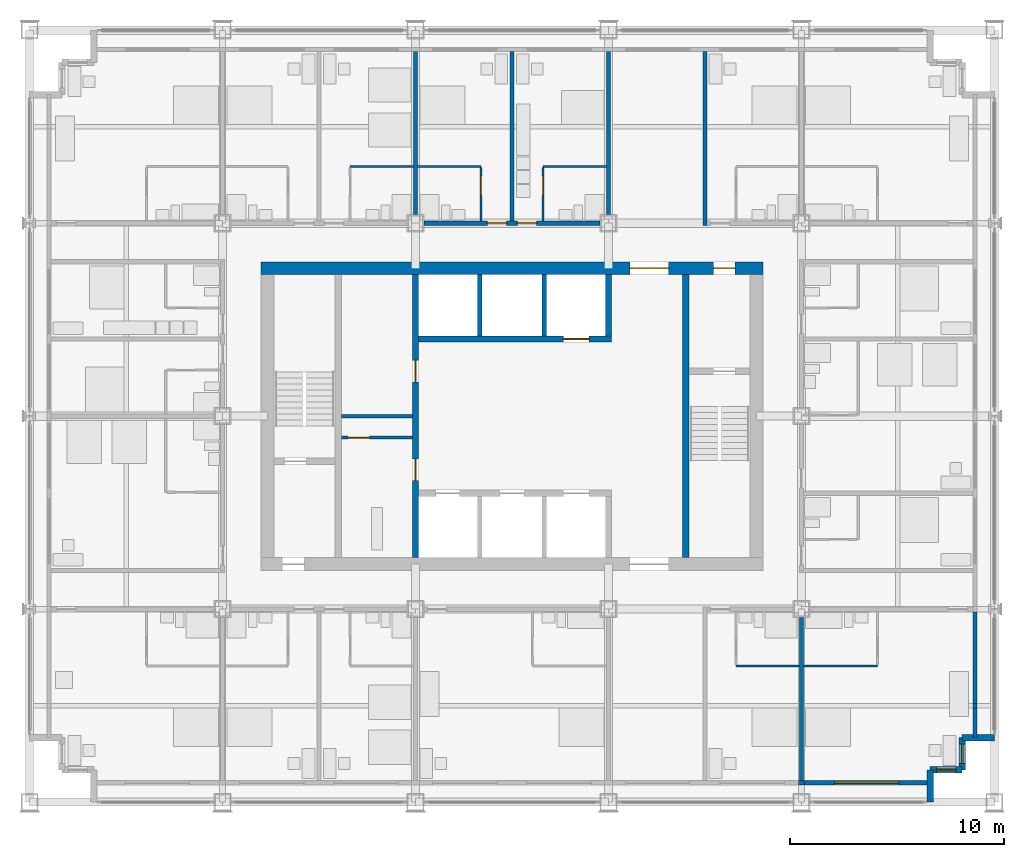
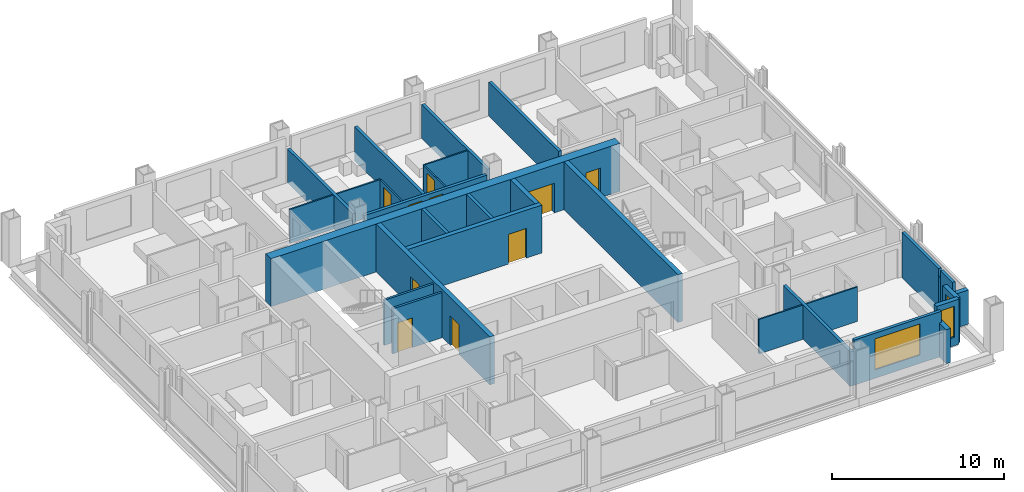
# One storey, part 11 of 17: 31 walls, 10 doors, 3 windows, 13 openings.
"""IFC4 building model written with IfcOpenShell, lengths in metres."""

import ifcopenshell
import ifcopenshell.guid

model = None  # the IFC model being written
_history = None  # IfcOwnerHistory: only IFC2X3 demands one
_inside = {}  # id of a spatial element -> (the spatial element, [elements in it])
_under = {}  # id of a project, library or spatial element -> (it, [spatial elements below it])
_declared = {}  # id of a project -> (the project, [libraries it declares])
_typed = {}  # id of a type object -> (the type object, [elements of that type])
_made_of = {}  # id of a material, layer set ... -> (it, [elements and type objects made of it])


def new_model(schema):
    """Start an empty IFC model of exactly this schema.

    Asked for "IFC4X3", IfcOpenShell would pick the latest addendum, in which some entities
    have other attributes; the version numbers below select the first issue.
    IFC2X3 requires an IfcOwnerHistory on every rooted entity: one is made here for all.
    """
    global model, _history
    if schema == "IFC4X3":
        model = ifcopenshell.file(schema_version=(4, 3, 0, 0))
    else:
        model = ifcopenshell.file(schema=schema)
    _inside.clear()
    _under.clear()
    _declared.clear()
    _typed.clear()
    _made_of.clear()
    _history = None
    if model.schema == "IFC2X3":
        org = make("IfcOrganization", Name="unknown")
        user = make(
            "IfcPersonAndOrganization",
            ThePerson=make("IfcPerson", FamilyName="unknown"),
            TheOrganization=org,
        )
        app = make(
            "IfcApplication",
            ApplicationDeveloper=org,
            Version="unknown",
            ApplicationFullName="unknown",
            ApplicationIdentifier="unknown",
        )
        _history = make(
            "IfcOwnerHistory",
            OwningUser=user,
            OwningApplication=app,
            ChangeAction="ADDED",
            CreationDate=0,
        )
    return model


def make(cls, **values):
    """One entity of the class cls with the attributes given. An attribute that is None is left unset."""
    return model.create_entity(
        cls, **{name: value for name, value in values.items() if value is not None}
    )


def rooted(cls, **values):
    """An entity with a GlobalId (a new one), such as an element, a storey or a relation."""
    return make(cls, GlobalId=ifcopenshell.guid.new(), OwnerHistory=_history, **values)


def si_unit(unit_type, name, prefix=None):
    """IfcSIUnit, for example si_unit("LENGTHUNIT", "METRE", prefix="MILLI")."""
    return make("IfcSIUnit", UnitType=unit_type, Prefix=prefix, Name=name)


def assignment(units):
    """IfcUnitAssignment: the units of a project."""
    return None if units is None else make("IfcUnitAssignment", Units=units)


def point(xyz):
    """IfcCartesianPoint."""
    return None if xyz is None else make("IfcCartesianPoint", Coordinates=xyz)


def direction(xyz):
    """IfcDirection."""
    return None if xyz is None else make("IfcDirection", DirectionRatios=xyz)


def frame(location, z_axis=None, x_axis=None):
    """IfcAxis2Placement3D, a coordinate frame: its origin and axes. An axis left out is left unset."""
    return make(
        "IfcAxis2Placement3D",
        Location=point(location),
        Axis=direction(z_axis),
        RefDirection=direction(x_axis),
    )


def frame_2d(location, x_axis=None):
    """IfcAxis2Placement2D, a coordinate frame in the plane: its origin and x axis."""
    return make(
        "IfcAxis2Placement2D", Location=point(location), RefDirection=direction(x_axis)
    )


def origin():
    """The frame at (0, 0, 0) with its axes left unset."""
    return frame((0.0, 0.0, 0.0))


def place(relative_to, where):
    """IfcLocalPlacement: puts the frame where relative to a parent placement (None: the world)."""
    return make(
        "IfcLocalPlacement", PlacementRelTo=relative_to, RelativePlacement=where
    )


def context(
    kind, dimensions, precision=None, world=None, true_north=None, identifier=None
):
    """IfcGeometricRepresentationContext, for example the 3D "Model" context."""
    return make(
        "IfcGeometricRepresentationContext",
        ContextIdentifier=identifier,
        ContextType=kind,
        CoordinateSpaceDimension=dimensions,
        Precision=precision,
        WorldCoordinateSystem=world,
        TrueNorth=true_north,
    )


def subcontext(parent, identifier, kind, view, scale=None):
    """IfcGeometricRepresentationSubContext, for example "Body" below "Model"."""
    return make(
        "IfcGeometricRepresentationSubContext",
        ContextIdentifier=identifier,
        ContextType=kind,
        ParentContext=parent,
        TargetScale=scale,
        TargetView=view,
    )


def project(units=None, contexts=None):
    """IfcProject with its units and contexts."""
    return rooted(
        "IfcProject",
        Name="project",
        RepresentationContexts=contexts,
        UnitsInContext=assignment(units),
    )


def spatial(cls, under=None, at=None, **own):
    """A site, building, storey or space (cls), placed at a placement, below another one or the project."""
    s = rooted(cls, ObjectPlacement=at, **own)
    if under is not None:
        _under.setdefault(under.id(), (under, []))[1].append(s)
    return s


def profile(cls, at=None, kind="AREA", **sizes):
    """A parametric profile (cls). Its sizes go by their IFC names, for example OverallWidth=200.0."""
    return make(cls, ProfileType=kind, Position=at, **sizes)


def rectangle(**sizes):
    """IfcRectangleProfileDef."""
    return profile("IfcRectangleProfileDef", **sizes)


def extrude(swept, where, along, depth):
    """IfcExtrudedAreaSolid: the profile swept, set in the frame where, extruded along a direction by depth."""
    return make(
        "IfcExtrudedAreaSolid",
        SweptArea=swept,
        Position=where,
        ExtrudedDirection=direction(along),
        Depth=depth,
    )


def shape(context_of_items, identifier, shape_type, items):
    """IfcShapeRepresentation: the items that make up one representation, for example the "Body"."""
    return make(
        "IfcShapeRepresentation",
        ContextOfItems=context_of_items,
        RepresentationIdentifier=identifier,
        RepresentationType=shape_type,
        Items=items,
    )


def material(Name=None, Category=None):
    """IfcMaterial."""
    return make("IfcMaterial", Name=Name, Category=Category)


def layer(
    of_material, thickness, ventilated=None, Name=None, Category=None, Priority=None
):
    """IfcMaterialLayer: one layer of a wall or slab, of a material (None: an air gap)."""
    return make(
        "IfcMaterialLayer",
        Material=of_material,
        LayerThickness=thickness,
        IsVentilated=ventilated,
        Name=Name,
        Category=Category,
        Priority=Priority,
    )


def layer_set(layers, Name=None):
    """IfcMaterialLayerSet."""
    return make("IfcMaterialLayerSet", MaterialLayers=layers, LayerSetName=Name)


def made_of(thing, what):
    """Note that an element or type object is made of a material, layer set ...; save() writes the relation."""
    if what is not None:
        _made_of.setdefault(what.id(), (what, []))[1].append(thing)
    return thing


def type_object(cls, material=None, **own):
    """A type object (cls), such as IfcWallType, which elements share."""
    return made_of(rooted(cls, **own), material)


def element(
    cls,
    number,
    at=None,
    inside=None,
    cuts=None,
    type_object=None,
    material=None,
    context=None,
    identifier="Body",
    shape_type=None,
    held_by="IfcProductDefinitionShape",
    body=None,
    shapes=None,
    **own,
):
    """One element of the class cls, such as IfcWall. Its Tag is "e" and its number.

    at: its placement. inside: the storey or other place that contains it. cuts: it is an
    opening in that element (IfcRelVoidsElement). A single representation is given by context,
    identifier, shape_type and body (its items); several are given by shapes. held_by: the class
    of the entity that holds the representations. save() writes the other relations.
    """
    e = rooted(cls, Tag="e%d" % number, ObjectPlacement=at, **own)
    if body is not None:
        shapes = [shape(context, identifier, shape_type, body)]
    if shapes is not None:
        e.Representation = make(held_by, Representations=shapes)
    if inside is not None:
        _inside.setdefault(inside.id(), (inside, []))[1].append(e)
    if cuts is not None:
        rooted(
            "IfcRelVoidsElement", RelatingBuildingElement=cuts, RelatedOpeningElement=e
        )
    if type_object is not None:
        _typed.setdefault(type_object.id(), (type_object, []))[1].append(e)
    return made_of(e, material)


def fill(opening, filler):
    """IfcRelFillsElement: the door or window that sits in an opening."""
    return rooted(
        "IfcRelFillsElement",
        RelatingOpeningElement=opening,
        RelatedBuildingElement=filler,
    )


def aggregate(whole, parts):
    """IfcRelAggregates: a whole, such as a stair, and the parts it consists of."""
    return rooted("IfcRelAggregates", RelatingObject=whole, RelatedObjects=parts)


def save(model, path):
    """Write the relations noted so far, then the file.

    IfcRelAggregates (storeys below a building ...), IfcRelContainedInSpatialStructure (elements
    in a storey), IfcRelDefinesByType, IfcRelAssociatesMaterial and IfcRelDeclares: one each for
    every whole, place, type object, material and project.
    """
    for whole, parts in _under.values():
        aggregate(whole, parts)
    for where, things in _inside.values():
        rooted(
            "IfcRelContainedInSpatialStructure",
            RelatedElements=things,
            RelatingStructure=where,
        )
    for kind, things in _typed.values():
        rooted("IfcRelDefinesByType", RelatedObjects=things, RelatingType=kind)
    for what, things in _made_of.values():
        rooted("IfcRelAssociatesMaterial", RelatedObjects=things, RelatingMaterial=what)
    for by, libraries in _declared.values():
        rooted("IfcRelDeclares", RelatingContext=by, RelatedDefinitions=libraries)
    model.write(path)


model = new_model("IFC4")

# Units and contexts
model_context = context("Model", 3, precision=1e-05, world=origin(), true_north=direction((0.0, 1.0)))
body_context = subcontext(model_context, "Body", "Model", "MODEL_VIEW")
ifc_project = project(units=[si_unit("LENGTHUNIT", "METRE"), si_unit("AREAUNIT", "SQUARE_METRE"), si_unit("VOLUMEUNIT", "CUBIC_METRE"), si_unit("PLANEANGLEUNIT", "RADIAN"), si_unit("MASSUNIT", "GRAM", prefix="KILO")], contexts=[model_context])

# Site, building, storey
site_placement = place(None, origin())
site = spatial("IfcSite", under=ifc_project, at=site_placement, CompositionType="ELEMENT")
building_placement = place(site_placement, origin())
building = spatial("IfcBuilding", under=site, at=building_placement, Name="Loomwork Tower", CompositionType="ELEMENT")
storey_placement = place(building_placement, frame((0.0, 0.0, 145.199951171875)))
storey = spatial("IfcBuildingStorey", under=building, at=storey_placement, Name="L39", CompositionType="ELEMENT", Elevation=145.199951171875)

# Wall, openings, doors
ifc_material_1 = material(Name="Concrete 14000 psi (97 MPa)", Category="concrete")
ifc_layer_1 = layer(ifc_material_1, 0.300048828125)
ifc_layer_set_1 = layer_set([ifc_layer_1], Name="Core shear wall 300")
wall_type_1 = type_object("IfcWallType", Name="Core shear wall 300", PredefinedType="SHEAR", material=ifc_layer_set_1)
wall_1_placement = place(storey_placement, frame((18.0, 11.39990234375, 0.0), z_axis=(0.0, 0.0, 1.0), x_axis=(0.0, 1.0, 0.0)))
wall_1 = element("IfcWall", 1, at=wall_1_placement, inside=storey, type_object=wall_type_1, Name="Lobby west wall L39", PredefinedType="SHEAR", context=body_context, shape_type="SweptSolid", body=[
    extrude(rectangle(XDim=13.2001953125, YDim=0.300048828125, at=frame_2d((6.60009765625, 0.0))), origin(), (0.0, 0.0, 1.0), 3.400146484375),
])
opening_1_placement = place(wall_1_placement, frame((3.60009765625, 0.0, 0.0)))
opening_1 = element("IfcOpeningElement", 2, at=opening_1_placement, cuts=wall_1, Name="Opening D5", PredefinedType="OPENING", context=body_context, shape_type="SweptSolid", body=[
    extrude(rectangle(XDim=1.0, YDim=2.10009765625, at=frame_2d((0.5, 1.050048828125))), frame((0.0, 0.159912109375, 0.0), z_axis=(0.0, -1.0, 0.0), x_axis=(1.0, 0.0, 0.0)), (0.0, 0.0, 1.0), 0.320068359375),
])
opening_2_placement = place(wall_1_placement, frame((8.199951171875, 0.0, 0.0)))
opening_2 = element("IfcOpeningElement", 3, at=opening_2_placement, cuts=wall_1, Name="Opening D5", PredefinedType="OPENING", context=body_context, shape_type="SweptSolid", body=[
    extrude(rectangle(XDim=1.0, YDim=2.10009765625, at=frame_2d((0.5, 1.050048828125))), frame((0.0, 0.159912109375, 0.0), z_axis=(0.0, -1.0, 0.0), x_axis=(1.0, 0.0, 0.0)), (0.0, 0.0, 1.0), 0.320068359375),
])
ifc_material_2 = material(Name="Hollow metal door and frame")
door_type_1 = type_object("IfcDoorType", Name="Service door 1000", OperationType="SINGLE_SWING_LEFT", PredefinedType="DOOR", material=ifc_material_2)
door_1_placement = place(opening_1_placement, origin())
door_1 = element("IfcDoor", 4, at=door_1_placement, inside=storey, type_object=door_type_1, Name="Back-of-house door south", OperationType="SINGLE_SWING_LEFT", OverallHeight=2.10009765625, OverallWidth=1.0, PredefinedType="DOOR", context=body_context, shape_type="SweptSolid", body=[
    extrude(rectangle(XDim=1.0, YDim=2.10009765625, at=frame_2d((0.5, 1.050048828125))), frame((0.0, 0.02490234375, 0.0), z_axis=(0.0, -1.0, 0.0), x_axis=(1.0, 0.0, 0.0)), (0.0, 0.0, 1.0), 0.050048828125),
])
fill(opening_1, door_1)
door_2_placement = place(opening_2_placement, origin())
door_2 = element("IfcDoor", 5, at=door_2_placement, inside=storey, type_object=door_type_1, Name="Back-of-house door north", OperationType="SINGLE_SWING_RIGHT", OverallHeight=2.10009765625, OverallWidth=1.0, PredefinedType="DOOR", context=body_context, shape_type="SweptSolid", body=[
    extrude(rectangle(XDim=1.0, YDim=2.10009765625, at=frame_2d((0.5, 1.050048828125))), frame((0.0, 0.02490234375, 0.0), z_axis=(0.0, -1.0, 0.0), x_axis=(1.0, 0.0, 0.0)), (0.0, 0.0, 1.0), 0.050048828125),
])
fill(opening_2, door_2)

# Wall, opening, door
wall_2_placement = place(storey_placement, frame((18.14990234375, 21.60009765625, 0.0), z_axis=(0.0, 0.0, 1.0), x_axis=(1.0, 0.0, 0.0)))
wall_2 = element("IfcWall", 6, at=wall_2_placement, inside=storey, type_object=wall_type_1, Name="Lift front wall north L39", PredefinedType="SHEAR", context=body_context, shape_type="SweptSolid", body=[
    extrude(rectangle(XDim=9.0, YDim=0.300048828125, at=frame_2d((4.5, 0.0))), origin(), (0.0, 0.0, 1.0), 3.400146484375),
])
opening_3_placement = place(wall_2_placement, frame((6.75, 0.0, 0.0)))
opening_3 = element("IfcOpeningElement", 7, at=opening_3_placement, cuts=wall_2, Name="Opening LD2", PredefinedType="OPENING", context=body_context, shape_type="SweptSolid", body=[
    extrude(rectangle(XDim=1.199951171875, YDim=2.10009765625, at=frame_2d((0.60009765625, 1.050048828125))), frame((0.0, 0.159912109375, 0.0), z_axis=(0.0, -1.0, 0.0), x_axis=(1.0, 0.0, 0.0)), (0.0, 0.0, 1.0), 0.320068359375),
])
ifc_material_3 = material(Name="Hollow metal door and frame")
door_type_2 = type_object("IfcDoorType", Name="Lift landing door 1200", OperationType="SLIDING_TO_LEFT", PredefinedType="DOOR", material=ifc_material_3)
door_3_placement = place(opening_3_placement, origin())
door_3 = element("IfcDoor", 8, at=door_3_placement, inside=storey, type_object=door_type_2, Name="Lift landing door LF2", OperationType="SLIDING_TO_LEFT", OverallHeight=2.10009765625, OverallWidth=1.199951171875, PredefinedType="DOOR", context=body_context, shape_type="SweptSolid", body=[
    extrude(rectangle(XDim=1.199951171875, YDim=2.10009765625, at=frame_2d((0.60009765625, 1.050048828125))), frame((0.0, 0.02490234375, 0.0), z_axis=(0.0, -1.0, 0.0), x_axis=(1.0, 0.0, 0.0)), (0.0, 0.0, 1.0), 0.050048828125),
])
fill(opening_3, door_3)

# Walls
wall_3_placement = place(storey_placement, frame((27.0, 21.75, 0.0), z_axis=(0.0, 0.0, 1.0), x_axis=(0.0, 1.0, 0.0)))
element("IfcWall", 9, at=wall_3_placement, inside=storey, type_object=wall_type_1, Name="Lift shaft end wall north L39", PredefinedType="SHEAR", context=body_context, shape_type="SweptSolid", body=[
    extrude(rectangle(XDim=2.85009765625, YDim=0.300048828125, at=frame_2d((1.425048828125, 0.0))), origin(), (0.0, 0.0, 1.0), 3.400146484375),
])
wall_4_placement = place(storey_placement, frame((30.60009765625, 11.39990234375, 0.0), z_axis=(0.0, 0.0, 1.0), x_axis=(0.0, 1.0, 0.0)))
element("IfcWall", 10, at=wall_4_placement, inside=storey, type_object=wall_type_1, Name="Stair B west wall L39", PredefinedType="SHEAR", context=body_context, shape_type="SweptSolid", body=[
    extrude(rectangle(XDim=13.2001953125, YDim=0.300048828125, at=frame_2d((6.60009765625, 0.0))), origin(), (0.0, 0.0, 1.0), 3.400146484375),
])

# Wall, openings, doors
ifc_material_4 = material(Name="Concrete 14000 psi (97 MPa)", Category="concrete")
ifc_layer_2 = layer(ifc_material_4, 0.60009765625)
ifc_layer_set_2 = layer_set([ifc_layer_2], Name="Core shear wall 600")
wall_type_2 = type_object("IfcWallType", Name="Core shear wall 600", PredefinedType="SHEAR", material=ifc_layer_set_2)
wall_5_placement = place(storey_placement, frame((10.800048828125, 24.89990234375, 0.0), z_axis=(0.0, 0.0, 1.0), x_axis=(1.0, 0.0, 0.0)))
wall_5 = element("IfcWall", 11, at=wall_5_placement, inside=storey, type_object=wall_type_2, Name="Core wall north L39", PredefinedType="SHEAR", context=body_context, shape_type="SweptSolid", body=[
    extrude(rectangle(XDim=23.39990234375, YDim=0.60009765625, at=frame_2d((11.699951171875, 0.0))), origin(), (0.0, 0.0, 1.0), 3.400146484375),
])
opening_4_placement = place(wall_5_placement, frame((17.199951171875, 0.0, 0.0)))
opening_4 = element("IfcOpeningElement", 12, at=opening_4_placement, cuts=wall_5, Name="Opening D6", PredefinedType="OPENING", context=body_context, shape_type="SweptSolid", body=[
    extrude(rectangle(XDim=1.800048828125, YDim=2.10009765625, at=frame_2d((0.89990234375, 1.050048828125))), frame((0.0, 0.31005859375, 0.0), z_axis=(0.0, -1.0, 0.0), x_axis=(1.0, 0.0, 0.0)), (0.0, 0.0, 1.0), 0.6201171875),
])
opening_5_placement = place(wall_5_placement, frame((21.10009765625, 0.0, 0.0)))
opening_5 = element("IfcOpeningElement", 13, at=opening_5_placement, cuts=wall_5, Name="Opening D4", PredefinedType="OPENING", context=body_context, shape_type="SweptSolid", body=[
    extrude(rectangle(XDim=1.0, YDim=2.10009765625, at=frame_2d((0.5, 1.050048828125))), frame((0.0, 0.31005859375, 0.0), z_axis=(0.0, -1.0, 0.0), x_axis=(1.0, 0.0, 0.0)), (0.0, 0.0, 1.0), 0.6201171875),
])
ifc_material_5 = material(Name="Hollow metal door and frame")
door_type_3 = type_object("IfcDoorType", Name="Lobby passage double door 1800", OperationType="DOUBLE_DOOR_SINGLE_SWING", PredefinedType="DOOR", material=ifc_material_5)
door_4_placement = place(opening_4_placement, frame((1.800048828125, 0.0, 0.0), z_axis=(0.0, 0.0, 1.0), x_axis=(-1.0, 0.0, 0.0)))
door_4 = element("IfcDoor", 14, at=door_4_placement, inside=storey, type_object=door_type_3, Name="Lobby passage door north", OperationType="DOUBLE_DOOR_SINGLE_SWING", OverallHeight=2.10009765625, OverallWidth=1.800048828125, PredefinedType="DOOR", context=body_context, shape_type="SweptSolid", body=[
    extrude(rectangle(XDim=1.800048828125, YDim=2.10009765625, at=frame_2d((0.89990234375, 1.050048828125))), frame((0.0, 0.02490234375, 0.0), z_axis=(0.0, -1.0, 0.0), x_axis=(1.0, 0.0, 0.0)), (0.0, 0.0, 1.0), 0.050048828125),
])
fill(opening_4, door_4)
ifc_material_6 = material(Name="Hollow metal door and frame")
door_type_4 = type_object("IfcDoorType", Name="Stair door 1000", OperationType="SINGLE_SWING_RIGHT", PredefinedType="DOOR", material=ifc_material_6)
door_5_placement = place(opening_5_placement, frame((1.0, 0.0, 0.0), z_axis=(0.0, 0.0, 1.0), x_axis=(-1.0, 0.0, 0.0)))
door_5 = element("IfcDoor", 15, at=door_5_placement, inside=storey, type_object=door_type_4, Name="Stair B vestibule door", OperationType="SINGLE_SWING_LEFT", OverallHeight=2.10009765625, OverallWidth=1.0, PredefinedType="DOOR", context=body_context, shape_type="SweptSolid", body=[
    extrude(rectangle(XDim=1.0, YDim=2.10009765625, at=frame_2d((0.5, 1.050048828125))), frame((0.0, 0.02490234375, 0.0), z_axis=(0.0, -1.0, 0.0), x_axis=(1.0, 0.0, 0.0)), (0.0, 0.0, 1.0), 0.050048828125),
])
fill(opening_5, door_5)

ifc_material_7 = material(Name="Gypsum board on steel studs, one-hour", Category="steel")
ifc_layer_3 = layer(ifc_material_7, 0.199951171875)
ifc_layer_set_3 = layer_set([ifc_layer_3], Name="Corridor wall 200")
wall_type_3 = type_object("IfcWallType", Name="Corridor wall 200", PredefinedType="PARTITIONING", material=ifc_layer_set_3)
wall_6_placement = place(storey_placement, frame((18.39990234375, 27.0, 0.0), z_axis=(0.0, 0.0, 1.0), x_axis=(1.0, 0.0, 0.0)))
wall_6 = element("IfcWall", 16, at=wall_6_placement, inside=storey, type_object=wall_type_3, Name="North corridor wall 3", PredefinedType="PARTITIONING", context=body_context, shape_type="SweptSolid", body=[
    extrude(rectangle(XDim=8.2001953125, YDim=0.199951171875, at=frame_2d((4.10009765625, 0.0))), origin(), (0.0, 0.0, 1.0), 2.405029296875),
])
opening_6_placement = place(wall_6_placement, frame((2.949951171875, 0.0, 0.0)))
opening_6 = element("IfcOpeningElement", 17, at=opening_6_placement, cuts=wall_6, Name="Opening D1", PredefinedType="OPENING", context=body_context, shape_type="SweptSolid", body=[
    extrude(rectangle(XDim=0.89990234375, YDim=2.10009765625, at=frame_2d((0.449951171875, 1.050048828125))), frame((0.0, 0.10986328125, 0.0), z_axis=(0.0, -1.0, 0.0), x_axis=(1.0, 0.0, 0.0)), (0.0, 0.0, 1.0), 0.219970703125),
])
opening_7_placement = place(wall_6_placement, frame((4.35009765625, 0.0, 0.0)))
opening_7 = element("IfcOpeningElement", 18, at=opening_7_placement, cuts=wall_6, Name="Opening D1", PredefinedType="OPENING", context=body_context, shape_type="SweptSolid", body=[
    extrude(rectangle(XDim=0.89990234375, YDim=2.10009765625, at=frame_2d((0.449951171875, 1.050048828125))), frame((0.0, 0.10986328125, 0.0), z_axis=(0.0, -1.0, 0.0), x_axis=(1.0, 0.0, 0.0)), (0.0, 0.0, 1.0), 0.219970703125),
])
ifc_material_8 = material(Name="Hollow metal door and frame")
door_type_5 = type_object("IfcDoorType", Name="Guest room entry door 900", OperationType="SINGLE_SWING_LEFT", PredefinedType="DOOR", material=ifc_material_8)
door_6_placement = place(opening_6_placement, origin())
door_6 = element("IfcDoor", 19, at=door_6_placement, inside=storey, type_object=door_type_5, Name="Guest room entry door L39 10", OperationType="SINGLE_SWING_RIGHT", OverallHeight=2.10009765625, OverallWidth=0.89990234375, PredefinedType="DOOR", context=body_context, shape_type="SweptSolid", body=[
    extrude(rectangle(XDim=0.89990234375, YDim=2.10009765625, at=frame_2d((0.449951171875, 1.050048828125))), frame((0.0, 0.02490234375, 0.0), z_axis=(0.0, -1.0, 0.0), x_axis=(1.0, 0.0, 0.0)), (0.0, 0.0, 1.0), 0.050048828125),
])
fill(opening_6, door_6)
door_7_placement = place(opening_7_placement, origin())
door_7 = element("IfcDoor", 20, at=door_7_placement, inside=storey, type_object=door_type_5, Name="Guest room entry door L39 11", OperationType="SINGLE_SWING_LEFT", OverallHeight=2.10009765625, OverallWidth=0.89990234375, PredefinedType="DOOR", context=body_context, shape_type="SweptSolid", body=[
    extrude(rectangle(XDim=0.89990234375, YDim=2.10009765625, at=frame_2d((0.449951171875, 1.050048828125))), frame((0.0, 0.02490234375, 0.0), z_axis=(0.0, -1.0, 0.0), x_axis=(1.0, 0.0, 0.0)), (0.0, 0.0, 1.0), 0.050048828125),
])
fill(opening_7, door_7)

# Walls
ifc_material_9 = material(Name="Cement board on steel studs", Category="steel")
ifc_layer_4 = layer(ifc_material_9, 0.10009765625)
ifc_layer_set_4 = layer_set([ifc_layer_4], Name="En-suite partition 100")
wall_type_4 = type_object("IfcWallType", Name="En-suite partition 100", PredefinedType="PARTITIONING", material=ifc_layer_set_4)
wall_7_placement = place(storey_placement, frame((32.949951171875, 6.35009765625, 0.0), z_axis=(0.0, 0.0, 1.0), x_axis=(1.0, 0.0, 0.0)))
element("IfcWall", 21, at=wall_7_placement, inside=storey, type_object=wall_type_4, Name="En-suite wall L39 room 5", PredefinedType="PARTITIONING", context=body_context, shape_type="SweptSolid", body=[
    extrude(rectangle(XDim=2.949951171875, YDim=0.10009765625, at=frame_2d((1.47509765625, 0.0))), origin(), (0.0, 0.0, 1.0), 2.43798828125),
])
wall_8_placement = place(storey_placement, frame((36.10009765625, 6.35009765625, 0.0), z_axis=(0.0, 0.0, 1.0), x_axis=(1.0, 0.0, 0.0)))
element("IfcWall", 22, at=wall_8_placement, inside=storey, type_object=wall_type_4, Name="En-suite wall L39 room 6", PredefinedType="PARTITIONING", context=body_context, shape_type="SweptSolid", body=[
    extrude(rectangle(XDim=3.449951171875, YDim=0.10009765625, at=frame_2d((1.72509765625, 0.0))), origin(), (0.0, 0.0, 1.0), 2.43798828125),
])
for number, where, z_axis, x_axis, name in (
    (23, (14.949951171875, 29.64990234375, 0.0), (0.0, 0.0, 1.0), (1.0, 0.0, 0.0), "En-suite wall L39 room 9"),
    (24, (18.10009765625, 29.64990234375, 0.0), (0.0, 0.0, 1.0), (1.0, 0.0, 0.0), "En-suite wall L39 room 10"),
):
    element("IfcWall", number, at=place(storey_placement, frame(where, z_axis=z_axis, x_axis=x_axis)), inside=storey, type_object=wall_type_4, Name=name, PredefinedType="PARTITIONING", context=body_context, shape_type="SweptSolid", body=[
        extrude(rectangle(XDim=2.949951171875, YDim=0.10009765625, at=frame_2d((1.47509765625, 0.0))), origin(), (0.0, 0.0, 1.0), 2.404052734375),
    ])

# Wall, opening, door
wall_9_placement = place(storey_placement, frame((21.050048828125, 27.10009765625, 0.0), z_axis=(0.0, 0.0, 1.0), x_axis=(0.0, 1.0, 0.0)))
wall_9 = element("IfcWall", 25, at=wall_9_placement, inside=storey, type_object=wall_type_4, Name="En-suite side wall L39 room 10", PredefinedType="PARTITIONING", context=body_context, shape_type="SweptSolid", body=[
    extrude(rectangle(XDim=2.5, YDim=0.10009765625, at=frame_2d((1.25, 0.0))), origin(), (0.0, 0.0, 1.0), 2.404052734375),
])
opening_8_placement = place(wall_9_placement, frame((1.199951171875, 0.0, 0.0)))
opening_8 = element("IfcOpeningElement", 26, at=opening_8_placement, cuts=wall_9, Name="Opening D2", PredefinedType="OPENING", context=body_context, shape_type="SweptSolid", body=[
    extrude(rectangle(XDim=0.89990234375, YDim=2.10009765625, at=frame_2d((0.449951171875, 1.050048828125))), frame((0.0, 0.06005859375, 0.0), z_axis=(0.0, -1.0, 0.0), x_axis=(1.0, 0.0, 0.0)), (0.0, 0.0, 1.0), 0.1201171875),
])
ifc_material_10 = material(Name="Hollow metal door and frame")
door_type_6 = type_object("IfcDoorType", Name="En-suite door 900", OperationType="SINGLE_SWING_LEFT", PredefinedType="DOOR", material=ifc_material_10)
door_8_placement = place(opening_8_placement, origin())
door_8 = element("IfcDoor", 27, at=door_8_placement, inside=storey, type_object=door_type_6, Name="En-suite door room 10", OperationType="SINGLE_SWING_RIGHT", OverallHeight=2.10009765625, OverallWidth=0.89990234375, PredefinedType="DOOR", context=body_context, shape_type="SweptSolid", body=[
    extrude(rectangle(XDim=0.89990234375, YDim=2.10009765625, at=frame_2d((0.449951171875, 1.050048828125))), frame((0.0, 0.02490234375, 0.0), z_axis=(0.0, -1.0, 0.0), x_axis=(1.0, 0.0, 0.0)), (0.0, 0.0, 1.0), 0.050048828125),
])
fill(opening_8, door_8)

# Wall
wall_10_placement = place(storey_placement, frame((23.949951171875, 29.64990234375, 0.0), z_axis=(0.0, 0.0, 1.0), x_axis=(1.0, 0.0, 0.0)))
element("IfcWall", 28, at=wall_10_placement, inside=storey, type_object=wall_type_4, Name="En-suite wall L39 room 11", PredefinedType="PARTITIONING", context=body_context, shape_type="SweptSolid", body=[
    extrude(rectangle(XDim=2.949951171875, YDim=0.10009765625, at=frame_2d((1.47509765625, 0.0))), origin(), (0.0, 0.0, 1.0), 2.404052734375),
])

# Wall, opening, door
wall_11_placement = place(storey_placement, frame((23.949951171875, 27.10009765625, 0.0), z_axis=(0.0, 0.0, 1.0), x_axis=(0.0, 1.0, 0.0)))
wall_11 = element("IfcWall", 29, at=wall_11_placement, inside=storey, type_object=wall_type_4, Name="En-suite side wall L39 room 11", PredefinedType="PARTITIONING", context=body_context, shape_type="SweptSolid", body=[
    extrude(rectangle(XDim=2.5, YDim=0.10009765625, at=frame_2d((1.25, 0.0))), origin(), (0.0, 0.0, 1.0), 2.404052734375),
])
opening_9_placement = place(wall_11_placement, frame((1.199951171875, 0.0, 0.0)))
opening_9 = element("IfcOpeningElement", 30, at=opening_9_placement, cuts=wall_11, Name="Opening D2", PredefinedType="OPENING", context=body_context, shape_type="SweptSolid", body=[
    extrude(rectangle(XDim=0.89990234375, YDim=2.10009765625, at=frame_2d((0.449951171875, 1.050048828125))), frame((0.0, 0.06005859375, 0.0), z_axis=(0.0, -1.0, 0.0), x_axis=(1.0, 0.0, 0.0)), (0.0, 0.0, 1.0), 0.1201171875),
])
door_9_placement = place(opening_9_placement, frame((0.89990234375, 0.0, 0.0), z_axis=(0.0, 0.0, 1.0), x_axis=(-1.0, 0.0, 0.0)))
door_9 = element("IfcDoor", 31, at=door_9_placement, inside=storey, type_object=door_type_6, Name="En-suite door room 11", OperationType="SINGLE_SWING_LEFT", OverallHeight=2.10009765625, OverallWidth=0.89990234375, PredefinedType="DOOR", context=body_context, shape_type="SweptSolid", body=[
    extrude(rectangle(XDim=0.89990234375, YDim=2.10009765625, at=frame_2d((0.449951171875, 1.050048828125))), frame((0.0, 0.02490234375, 0.0), z_axis=(0.0, -1.0, 0.0), x_axis=(1.0, 0.0, 0.0)), (0.0, 0.0, 1.0), 0.050048828125),
])
fill(opening_9, door_9)

# Walls
ifc_material_11 = material(Name="Gypsum board on steel studs, acoustic", Category="steel")
ifc_layer_5 = layer(ifc_material_11, 0.199951171875)
ifc_layer_set_5 = layer_set([ifc_layer_5], Name="Guest room party wall 200")
wall_type_5 = type_object("IfcWallType", Name="Guest room party wall 200", PredefinedType="PARTITIONING", material=ifc_layer_set_5)
wall_12_placement = place(storey_placement, frame((36.0, 8.60009765625, 0.0), z_axis=(0.0, 0.0, 1.0), x_axis=(0.0, -1.0, 0.0)))
element("IfcWall", 32, at=wall_12_placement, inside=storey, type_object=wall_type_5, Name="Guest room party wall S 36", PredefinedType="PARTITIONING", context=body_context, shape_type="SweptSolid", body=[
    extrude(rectangle(XDim=7.60009765625, YDim=0.199951171875, at=frame_2d((3.800048828125, 0.0))), origin(), (0.0, 0.0, 1.0), 2.43798828125),
])
wall_13_placement = place(storey_placement, frame((18.0, 27.39990234375, 0.0), z_axis=(0.0, 0.0, 1.0), x_axis=(0.0, 1.0, 0.0)))
element("IfcWall", 33, at=wall_13_placement, inside=storey, type_object=wall_type_5, Name="Guest room party wall N 18", PredefinedType="PARTITIONING", context=body_context, shape_type="SweptSolid", body=[
    extrude(rectangle(XDim=7.60009765625, YDim=0.199951171875, at=frame_2d((3.800048828125, 0.0))), origin(), (0.0, 0.0, 1.0), 2.405029296875),
])
wall_14_placement = place(storey_placement, frame((22.5, 27.10009765625, 0.0), z_axis=(0.0, 0.0, 1.0), x_axis=(0.0, 1.0, 0.0)))
element("IfcWall", 34, at=wall_14_placement, inside=storey, type_object=wall_type_5, Name="Guest room party wall N 22.5", PredefinedType="PARTITIONING", context=body_context, shape_type="SweptSolid", body=[
    extrude(rectangle(XDim=7.89990234375, YDim=0.199951171875, at=frame_2d((3.949951171875, 0.0))), origin(), (0.0, 0.0, 1.0), 2.404052734375),
])
wall_15_placement = place(storey_placement, frame((27.0, 27.39990234375, 0.0), z_axis=(0.0, 0.0, 1.0), x_axis=(0.0, 1.0, 0.0)))
element("IfcWall", 35, at=wall_15_placement, inside=storey, type_object=wall_type_5, Name="Guest room party wall N 27", PredefinedType="PARTITIONING", context=body_context, shape_type="SweptSolid", body=[
    extrude(rectangle(XDim=7.60009765625, YDim=0.199951171875, at=frame_2d((3.800048828125, 0.0))), origin(), (0.0, 0.0, 1.0), 2.405029296875),
])
wall_16_placement = place(storey_placement, frame((31.5, 26.89990234375, 0.0), z_axis=(0.0, 0.0, 1.0), x_axis=(0.0, 1.0, 0.0)))
element("IfcWall", 36, at=wall_16_placement, inside=storey, type_object=wall_type_5, Name="Guest room party wall N 31.5", PredefinedType="PARTITIONING", context=body_context, shape_type="SweptSolid", body=[
    extrude(rectangle(XDim=8.10009765625, YDim=0.199951171875, at=frame_2d((4.050048828125, 0.0))), origin(), (0.0, 0.0, 1.0), 2.404052734375),
])
ifc_material_12 = material(Name="Insulated steel stud wall with gypsum lining", Category="steel")
ifc_layer_6 = layer(ifc_material_12, 0.199951171875)
ifc_layer_set_6 = layer_set([ifc_layer_6], Name="Inner skin wall 200")
wall_type_6 = type_object("IfcWallType", Name="Inner skin wall 200", PredefinedType="SOLIDWALL", material=ifc_layer_set_6)
wall_17_placement = place(storey_placement, frame((44.10009765625, 3.0, 0.0), z_axis=(0.0, 0.0, 1.0), x_axis=(0.0, 1.0, 0.0)))
element("IfcWall", 37, at=wall_17_placement, inside=storey, type_object=wall_type_6, Name="Inner skin wall E", PredefinedType="SOLIDWALL", context=body_context, shape_type="SweptSolid", body=[
    extrude(rectangle(XDim=1.392578125, YDim=0.199951171875, at=frame_2d((0.6962890625, 0.0))), origin(), (0.0, 0.0, 1.0), 3.199951171875),
])
wall_18_placement = place(storey_placement, frame((35.864501953125, 0.89990234375, 0.0), z_axis=(0.0, 0.0, 1.0), x_axis=(1.0, 0.0, 0.0)))
element("IfcWall", 38, at=wall_18_placement, inside=storey, type_object=wall_type_6, Name="Inner skin wall S bay 8", PredefinedType="SOLIDWALL", context=body_context, shape_type="SweptSolid", body=[
    extrude(rectangle(XDim=0.27099609375, YDim=0.199951171875, at=frame_2d((0.135498046875, 0.0))), origin(), (0.0, 0.0, 1.0), 2.43798828125),
])

# Wall, opening, window
wall_19_placement = place(storey_placement, frame((36.135498046875, 0.89990234375, 0.0), z_axis=(0.0, 0.0, 1.0), x_axis=(1.0, 0.0, 0.0)))
wall_19 = element("IfcWall", 39, at=wall_19_placement, inside=storey, type_object=wall_type_6, Name="Inner skin wall S bay 9", PredefinedType="SOLIDWALL", context=body_context, shape_type="SweptSolid", body=[
    extrude(rectangle(XDim=5.864501953125, YDim=0.199951171875, at=frame_2d((2.93212890625, 0.0))), origin(), (0.0, 0.0, 1.0), 3.199951171875),
])
opening_10_placement = place(wall_19_placement, frame((1.41455078125, 0.0, 0.60009765625)))
opening_10 = element("IfcOpeningElement", 40, at=opening_10_placement, cuts=wall_19, Name="Opening CH1", PredefinedType="OPENING", context=body_context, shape_type="SweptSolid", body=[
    extrude(rectangle(XDim=3.0, YDim=2.199951171875, at=frame_2d((1.5, 1.10009765625))), frame((0.0, 0.10986328125, 0.0), z_axis=(0.0, -1.0, 0.0), x_axis=(1.0, 0.0, 0.0)), (0.0, 0.0, 1.0), 0.219970703125),
])
ifc_material_13 = material(Name="Aluminium frame with clear insulated glass", Category="aluminium")
window_type_1 = type_object("IfcWindowType", Name="Chicago window 3000", PartitioningType="TRIPLE_PANEL_VERTICAL", PredefinedType="WINDOW", material=ifc_material_13)
window_1_placement = place(opening_10_placement, origin())
window_1 = element("IfcWindow", 41, at=window_1_placement, inside=storey, type_object=window_type_1, Name="Chicago window L39 bay 5", OverallHeight=2.199951171875, OverallWidth=3.0, PartitioningType="TRIPLE_PANEL_VERTICAL", PredefinedType="WINDOW", context=body_context, shape_type="SweptSolid", body=[
    extrude(rectangle(XDim=3.0, YDim=2.199951171875, at=frame_2d((1.5, 1.10009765625))), frame((0.0, 0.030029296875, 0.0), z_axis=(0.0, -1.0, 0.0), x_axis=(1.0, 0.0, 0.0)), (0.0, 0.0, 1.0), 0.06005859375),
])
fill(opening_10, window_1)

# Walls
wall_20_placement = place(storey_placement, frame((44.10009765625, 4.392578125, 0.0), z_axis=(0.0, 0.0, 1.0), x_axis=(0.0, 1.0, 0.0)))
element("IfcWall", 42, at=wall_20_placement, inside=storey, type_object=wall_type_6, Name="Inner skin wall E bay 2", PredefinedType="SOLIDWALL", context=body_context, shape_type="SweptSolid", body=[
    extrude(rectangle(XDim=0.21484375, YDim=0.199951171875, at=frame_2d((0.107421875, 0.0))), origin(), (0.0, 0.0, 1.0), 2.6611328125),
])
wall_21_placement = place(storey_placement, frame((44.10009765625, 4.607421875, 0.0), z_axis=(0.0, 0.0, 1.0), x_axis=(0.0, 1.0, 0.0)))
element("IfcWall", 43, at=wall_21_placement, inside=storey, type_object=wall_type_6, Name="Inner skin wall E bay 3", PredefinedType="SOLIDWALL", context=body_context, shape_type="SweptSolid", body=[
    extrude(rectangle(XDim=4.25732421875, YDim=0.199951171875, at=frame_2d((2.128662109375, 0.0))), origin(), (0.0, 0.0, 1.0), 3.199951171875),
])
ifc_material_14 = material(Name="Concrete 14000 psi (97 MPa)", Category="concrete")
ifc_layer_7 = layer(ifc_material_14, 0.199951171875)
ifc_layer_set_7 = layer_set([ifc_layer_7], Name="Lift shaft wall 200")
wall_type_7 = type_object("IfcWallType", Name="Lift shaft wall 200", PredefinedType="SHEAR", material=ifc_layer_set_7)
for number, where, z_axis, x_axis, name in (
    (44, (21.0, 21.75, 0.0), (0.0, 0.0, 1.0), (0.0, 1.0, 0.0), "Lift shaft separation wall north 1 L39"),
    (45, (24.0, 21.75, 0.0), (0.0, 0.0, 1.0), (0.0, 1.0, 0.0), "Lift shaft separation wall north 2 L39"),
):
    element("IfcWall", number, at=place(storey_placement, frame(where, z_axis=z_axis, x_axis=x_axis)), inside=storey, type_object=wall_type_7, Name=name, PredefinedType="SHEAR", context=body_context, shape_type="SweptSolid", body=[
        extrude(rectangle(XDim=2.85009765625, YDim=0.199951171875, at=frame_2d((1.425048828125, 0.0))), origin(), (0.0, 0.0, 1.0), 3.400146484375),
    ])
ifc_material_15 = material(Name="Limestone on concrete masonry", Category="masonry")
ifc_layer_8 = layer(ifc_material_15, 0.300048828125)
ifc_layer_set_8 = layer_set([ifc_layer_8], Name="Limestone corner wall 300")
wall_type_8 = type_object("IfcWallType", Name="Limestone corner wall 300", PredefinedType="SOLIDWALL", material=ifc_layer_set_8)
wall_22_placement = place(storey_placement, frame((42.0, 0.0, 0.0), z_axis=(0.0, 0.0, 1.0), x_axis=(0.0, 1.0, 0.0)))
element("IfcWall", 46, at=wall_22_placement, inside=storey, type_object=wall_type_8, Name="Stone corner wall SE 1", PredefinedType="SOLIDWALL", context=body_context, shape_type="SweptSolid", body=[
    extrude(rectangle(XDim=1.5, YDim=0.300048828125, at=frame_2d((0.75, 0.0))), origin(), (0.0, 0.0, 1.0), 2.420166015625),
])

# Wall, opening, window
wall_23_placement = place(storey_placement, frame((42.0, 1.5, 0.0), z_axis=(0.0, 0.0, 1.0), x_axis=(1.0, 0.0, 0.0)))
wall_23 = element("IfcWall", 47, at=wall_23_placement, inside=storey, type_object=wall_type_8, Name="Stone corner wall SE 2", PredefinedType="SOLIDWALL", context=body_context, shape_type="SweptSolid", body=[
    extrude(rectangle(XDim=1.5, YDim=0.300048828125, at=frame_2d((0.75, 0.0))), origin(), (0.0, 0.0, 1.0), 3.199951171875),
])
opening_11_placement = place(wall_23_placement, frame((0.300048828125, 0.0, 0.60009765625)))
opening_11 = element("IfcOpeningElement", 48, at=opening_11_placement, cuts=wall_23, Name="Opening CH2", PredefinedType="OPENING", context=body_context, shape_type="SweptSolid", body=[
    extrude(rectangle(XDim=0.89990234375, YDim=2.199951171875, at=frame_2d((0.449951171875, 1.10009765625))), frame((0.0, 0.159912109375, 0.0), z_axis=(0.0, -1.0, 0.0), x_axis=(1.0, 0.0, 0.0)), (0.0, 0.0, 1.0), 0.320068359375),
])
ifc_material_16 = material(Name="Aluminium frame with clear insulated glass", Category="aluminium")
window_type_2 = type_object("IfcWindowType", Name="Corner window 900", PartitioningType="SINGLE_PANEL", PredefinedType="WINDOW", material=ifc_material_16)
window_2_placement = place(opening_11_placement, origin())
window_2 = element("IfcWindow", 49, at=window_2_placement, inside=storey, type_object=window_type_2, Name="Corner window SE", OverallHeight=2.199951171875, OverallWidth=0.89990234375, PartitioningType="SINGLE_PANEL", PredefinedType="WINDOW", context=body_context, shape_type="SweptSolid", body=[
    extrude(rectangle(XDim=0.89990234375, YDim=2.199951171875, at=frame_2d((0.449951171875, 1.10009765625))), frame((0.0, 0.030029296875, 0.0), z_axis=(0.0, -1.0, 0.0), x_axis=(1.0, 0.0, 0.0)), (0.0, 0.0, 1.0), 0.06005859375),
])
fill(opening_11, window_2)

wall_24_placement = place(storey_placement, frame((43.5, 1.5, 0.0), z_axis=(0.0, 0.0, 1.0), x_axis=(0.0, 1.0, 0.0)))
wall_24 = element("IfcWall", 50, at=wall_24_placement, inside=storey, type_object=wall_type_8, Name="Stone corner wall SE 3", PredefinedType="SOLIDWALL", context=body_context, shape_type="SweptSolid", body=[
    extrude(rectangle(XDim=1.5, YDim=0.300048828125, at=frame_2d((0.75, 0.0))), origin(), (0.0, 0.0, 1.0), 3.199951171875),
])
opening_12_placement = place(wall_24_placement, frame((0.300048828125, 0.0, 0.60009765625)))
opening_12 = element("IfcOpeningElement", 51, at=opening_12_placement, cuts=wall_24, Name="Opening CH2", PredefinedType="OPENING", context=body_context, shape_type="SweptSolid", body=[
    extrude(rectangle(XDim=0.89990234375, YDim=2.199951171875, at=frame_2d((0.449951171875, 1.10009765625))), frame((0.0, 0.159912109375, 0.0), z_axis=(0.0, -1.0, 0.0), x_axis=(1.0, 0.0, 0.0)), (0.0, 0.0, 1.0), 0.320068359375),
])
window_3_placement = place(opening_12_placement, origin())
window_3 = element("IfcWindow", 52, at=window_3_placement, inside=storey, type_object=window_type_2, Name="Corner window SE", OverallHeight=2.199951171875, OverallWidth=0.89990234375, PartitioningType="SINGLE_PANEL", PredefinedType="WINDOW", context=body_context, shape_type="SweptSolid", body=[
    extrude(rectangle(XDim=0.89990234375, YDim=2.199951171875, at=frame_2d((0.449951171875, 1.10009765625))), frame((0.0, 0.030029296875, 0.0), z_axis=(0.0, -1.0, 0.0), x_axis=(1.0, 0.0, 0.0)), (0.0, 0.0, 1.0), 0.06005859375),
])
fill(opening_12, window_3)

# Walls
wall_25_placement = place(storey_placement, frame((43.5, 3.0, 0.0), z_axis=(0.0, 0.0, 1.0), x_axis=(1.0, 0.0, 0.0)))
element("IfcWall", 53, at=wall_25_placement, inside=storey, type_object=wall_type_8, Name="Stone corner wall SE 4", PredefinedType="SOLIDWALL", context=body_context, shape_type="SweptSolid", body=[
    extrude(rectangle(XDim=1.5, YDim=0.300048828125, at=frame_2d((0.75, 0.0))), origin(), (0.0, 0.0, 1.0), 2.420166015625),
])
ifc_material_17 = material(Name="Gypsum board on steel studs", Category="steel")
ifc_layer_9 = layer(ifc_material_17, 0.14990234375)
ifc_layer_set_9 = layer_set([ifc_layer_9], Name="Partition 150 two-hour")
wall_type_9 = type_object("IfcWallType", Name="Partition 150 two-hour", PredefinedType="PARTITIONING", material=ifc_layer_set_9)
wall_26_placement = place(storey_placement, frame((14.550048828125, 18.0, 0.0), z_axis=(0.0, 0.0, 1.0), x_axis=(1.0, 0.0, 0.0)))
element("IfcWall", 54, at=wall_26_placement, inside=storey, type_object=wall_type_9, Name="Back-of-house dividing wall L39", PredefinedType="PARTITIONING", context=body_context, shape_type="SweptSolid", body=[
    extrude(rectangle(XDim=3.300048828125, YDim=0.14990234375, at=frame_2d((1.64990234375, 0.0))), origin(), (0.0, 0.0, 1.0), 3.199951171875),
])

# Wall, opening, door
ifc_material_18 = material(Name="Gypsum board on steel studs, one-hour", Category="steel")
ifc_layer_10 = layer(ifc_material_18, 0.14990234375)
ifc_layer_set_10 = layer_set([ifc_layer_10], Name="Service partition 150")
wall_type_10 = type_object("IfcWallType", Name="Service partition 150", PredefinedType="PARTITIONING", material=ifc_layer_set_10)
wall_27_placement = place(storey_placement, frame((14.550048828125, 17.0, 0.0), z_axis=(0.0, 0.0, 1.0), x_axis=(1.0, 0.0, 0.0)))
wall_27 = element("IfcWall", 55, at=wall_27_placement, inside=storey, type_object=wall_type_10, Name="Riser enclosure L39", PredefinedType="PARTITIONING", context=body_context, shape_type="SweptSolid", body=[
    extrude(rectangle(XDim=3.300048828125, YDim=0.14990234375, at=frame_2d((1.64990234375, 0.0))), origin(), (0.0, 0.0, 1.0), 3.199951171875),
])
opening_13_placement = place(wall_27_placement, frame((0.300048828125, 0.0, 0.0)))
opening_13 = element("IfcOpeningElement", 56, at=opening_13_placement, cuts=wall_27, Name="Opening D18", PredefinedType="OPENING", context=body_context, shape_type="SweptSolid", body=[
    extrude(rectangle(XDim=1.0, YDim=2.10009765625, at=frame_2d((0.5, 1.050048828125))), frame((0.0, 0.0849609375, 0.0), z_axis=(0.0, -1.0, 0.0), x_axis=(1.0, 0.0, 0.0)), (0.0, 0.0, 1.0), 0.169921875),
])
ifc_material_19 = material(Name="Hollow metal door and frame")
door_type_7 = type_object("IfcDoorType", Name="Ninety-minute service door 1000", OperationType="SINGLE_SWING_LEFT", PredefinedType="DOOR", material=ifc_material_19)
door_10_placement = place(opening_13_placement, frame((1.0, 0.0, 0.0), z_axis=(0.0, 0.0, 1.0), x_axis=(-1.0, 0.0, 0.0)))
door_10 = element("IfcDoor", 57, at=door_10_placement, inside=storey, type_object=door_type_7, Name="Riser access door", OperationType="SINGLE_SWING_RIGHT", OverallHeight=2.10009765625, OverallWidth=1.0, PredefinedType="DOOR", context=body_context, shape_type="SweptSolid", body=[
    extrude(rectangle(XDim=1.0, YDim=2.10009765625, at=frame_2d((0.5, 1.050048828125))), frame((0.0, 0.02490234375, 0.0), z_axis=(0.0, -1.0, 0.0), x_axis=(1.0, 0.0, 0.0)), (0.0, 0.0, 1.0), 0.050048828125),
])
fill(opening_13, door_10)

save(model, "model.ifc")
